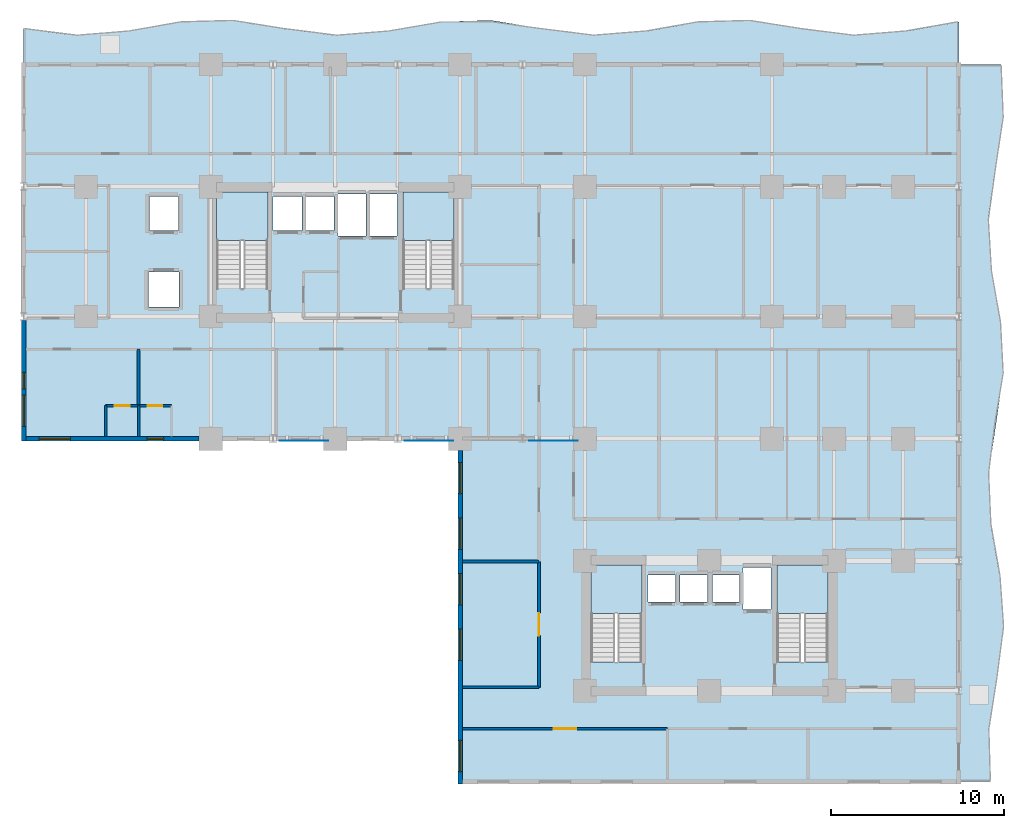
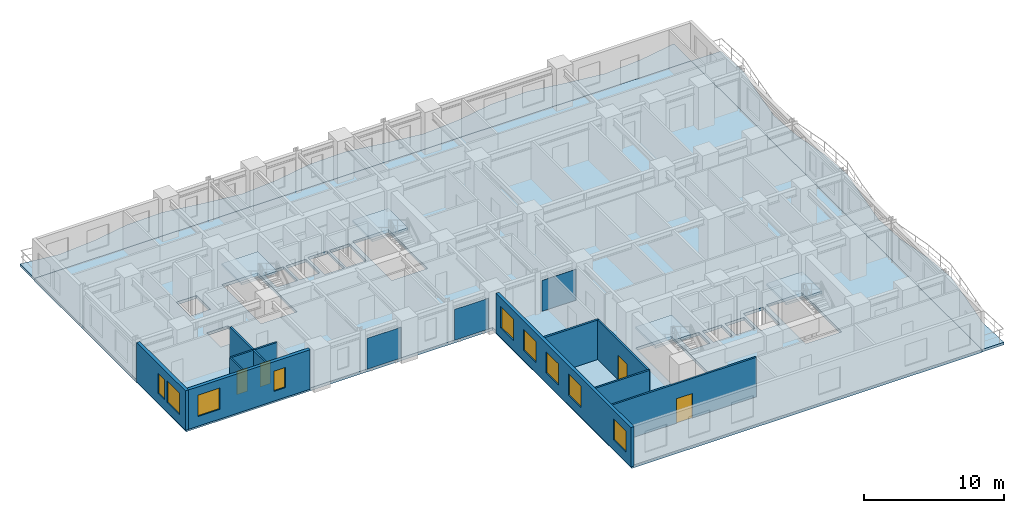
# One storey, part 2 of 11: 12 walls, 9 windows, 7 slabs, 4 doors, 3 plates, 13 openings, 4 elements without a shape of their own.
"""IFC4 building model written with IfcOpenShell, lengths in metres."""

import ifcopenshell
import ifcopenshell.guid

model = None  # the IFC model being written
_history = None  # IfcOwnerHistory: only IFC2X3 demands one
_inside = {}  # id of a spatial element -> (the spatial element, [elements in it])
_under = {}  # id of a project, library or spatial element -> (it, [spatial elements below it])
_declared = {}  # id of a project -> (the project, [libraries it declares])
_typed = {}  # id of a type object -> (the type object, [elements of that type])
_made_of = {}  # id of a material, layer set ... -> (it, [elements and type objects made of it])


def new_model(schema):
    """Start an empty IFC model of exactly this schema.

    Asked for "IFC4X3", IfcOpenShell would pick the latest addendum, in which some entities
    have other attributes; the version numbers below select the first issue.
    IFC2X3 requires an IfcOwnerHistory on every rooted entity: one is made here for all.
    """
    global model, _history
    if schema == "IFC4X3":
        model = ifcopenshell.file(schema_version=(4, 3, 0, 0))
    else:
        model = ifcopenshell.file(schema=schema)
    _inside.clear()
    _under.clear()
    _declared.clear()
    _typed.clear()
    _made_of.clear()
    _history = None
    if model.schema == "IFC2X3":
        org = make("IfcOrganization", Name="unknown")
        user = make(
            "IfcPersonAndOrganization",
            ThePerson=make("IfcPerson", FamilyName="unknown"),
            TheOrganization=org,
        )
        app = make(
            "IfcApplication",
            ApplicationDeveloper=org,
            Version="unknown",
            ApplicationFullName="unknown",
            ApplicationIdentifier="unknown",
        )
        _history = make(
            "IfcOwnerHistory",
            OwningUser=user,
            OwningApplication=app,
            ChangeAction="ADDED",
            CreationDate=0,
        )
    return model


def make(cls, **values):
    """One entity of the class cls with the attributes given. An attribute that is None is left unset."""
    return model.create_entity(
        cls, **{name: value for name, value in values.items() if value is not None}
    )


def rooted(cls, **values):
    """An entity with a GlobalId (a new one), such as an element, a storey or a relation."""
    return make(cls, GlobalId=ifcopenshell.guid.new(), OwnerHistory=_history, **values)


def si_unit(unit_type, name, prefix=None):
    """IfcSIUnit, for example si_unit("LENGTHUNIT", "METRE", prefix="MILLI")."""
    return make("IfcSIUnit", UnitType=unit_type, Prefix=prefix, Name=name)


def assignment(units):
    """IfcUnitAssignment: the units of a project."""
    return None if units is None else make("IfcUnitAssignment", Units=units)


def point(xyz):
    """IfcCartesianPoint."""
    return None if xyz is None else make("IfcCartesianPoint", Coordinates=xyz)


def direction(xyz):
    """IfcDirection."""
    return None if xyz is None else make("IfcDirection", DirectionRatios=xyz)


def frame(location, z_axis=None, x_axis=None):
    """IfcAxis2Placement3D, a coordinate frame: its origin and axes. An axis left out is left unset."""
    return make(
        "IfcAxis2Placement3D",
        Location=point(location),
        Axis=direction(z_axis),
        RefDirection=direction(x_axis),
    )


def frame_2d(location, x_axis=None):
    """IfcAxis2Placement2D, a coordinate frame in the plane: its origin and x axis."""
    return make(
        "IfcAxis2Placement2D", Location=point(location), RefDirection=direction(x_axis)
    )


def origin():
    """The frame at (0, 0, 0) with its axes left unset."""
    return frame((0.0, 0.0, 0.0))


def origin_2d():
    """The frame at (0, 0) in the plane with its x axis left unset."""
    return frame_2d((0.0, 0.0))


def place(relative_to, where):
    """IfcLocalPlacement: puts the frame where relative to a parent placement (None: the world)."""
    return make(
        "IfcLocalPlacement", PlacementRelTo=relative_to, RelativePlacement=where
    )


def context(
    kind, dimensions, precision=None, world=None, true_north=None, identifier=None
):
    """IfcGeometricRepresentationContext, for example the 3D "Model" context."""
    return make(
        "IfcGeometricRepresentationContext",
        ContextIdentifier=identifier,
        ContextType=kind,
        CoordinateSpaceDimension=dimensions,
        Precision=precision,
        WorldCoordinateSystem=world,
        TrueNorth=true_north,
    )


def subcontext(parent, identifier, kind, view, scale=None):
    """IfcGeometricRepresentationSubContext, for example "Body" below "Model"."""
    return make(
        "IfcGeometricRepresentationSubContext",
        ContextIdentifier=identifier,
        ContextType=kind,
        ParentContext=parent,
        TargetScale=scale,
        TargetView=view,
    )


def project(units=None, contexts=None):
    """IfcProject with its units and contexts."""
    return rooted(
        "IfcProject",
        Name="project",
        RepresentationContexts=contexts,
        UnitsInContext=assignment(units),
    )


def spatial(cls, under=None, at=None, **own):
    """A site, building, storey or space (cls), placed at a placement, below another one or the project."""
    s = rooted(cls, ObjectPlacement=at, **own)
    if under is not None:
        _under.setdefault(under.id(), (under, []))[1].append(s)
    return s


def polyline(points):
    """IfcPolyline through the points."""
    return make("IfcPolyline", Points=[point(p) for p in points])


def profile(cls, at=None, kind="AREA", **sizes):
    """A parametric profile (cls). Its sizes go by their IFC names, for example OverallWidth=200.0."""
    return make(cls, ProfileType=kind, Position=at, **sizes)


def rectangle(**sizes):
    """IfcRectangleProfileDef."""
    return profile("IfcRectangleProfileDef", **sizes)


def outline(outer, holes=None, kind="AREA"):
    """IfcArbitraryClosedProfileDef: a profile drawn as a closed curve; with holes, ...WithVoids."""
    if holes is None:
        return make("IfcArbitraryClosedProfileDef", ProfileType=kind, OuterCurve=outer)
    return make(
        "IfcArbitraryProfileDefWithVoids",
        ProfileType=kind,
        OuterCurve=outer,
        InnerCurves=holes,
    )


def extrude(swept, where, along, depth):
    """IfcExtrudedAreaSolid: the profile swept, set in the frame where, extruded along a direction by depth."""
    return make(
        "IfcExtrudedAreaSolid",
        SweptArea=swept,
        Position=where,
        ExtrudedDirection=direction(along),
        Depth=depth,
    )


def shape(context_of_items, identifier, shape_type, items):
    """IfcShapeRepresentation: the items that make up one representation, for example the "Body"."""
    return make(
        "IfcShapeRepresentation",
        ContextOfItems=context_of_items,
        RepresentationIdentifier=identifier,
        RepresentationType=shape_type,
        Items=items,
    )


def source(mapping_origin, context_of_items, identifier, shape_type, items):
    """IfcRepresentationMap: a shape defined once, which mapped items show again and again."""
    return make(
        "IfcRepresentationMap",
        MappingOrigin=mapping_origin,
        MappedRepresentation=shape(context_of_items, identifier, shape_type, items),
    )


def transform(
    local_origin,
    x_axis=None,
    y_axis=None,
    z_axis=None,
    scale=None,
    scale2=None,
    scale3=None,
    uniform=True,
):
    """IfcCartesianTransformationOperator3D, or its non-uniform kind. x_axis, y_axis, z_axis: its Axis1, 2, 3."""
    if uniform:
        return make(
            "IfcCartesianTransformationOperator3D",
            Axis1=direction(x_axis),
            Axis2=direction(y_axis),
            LocalOrigin=point(local_origin),
            Scale=scale,
            Axis3=direction(z_axis),
        )
    return make(
        "IfcCartesianTransformationOperator3DnonUniform",
        Axis1=direction(x_axis),
        Axis2=direction(y_axis),
        LocalOrigin=point(local_origin),
        Scale=scale,
        Axis3=direction(z_axis),
        Scale2=scale2,
        Scale3=scale3,
    )


def mapped(mapping_source, mapping_target):
    """IfcMappedItem: shows the shape of a source again, moved by a transform."""
    return make(
        "IfcMappedItem", MappingSource=mapping_source, MappingTarget=mapping_target
    )


def material(Name=None, Category=None):
    """IfcMaterial."""
    return make("IfcMaterial", Name=Name, Category=Category)


def layer(
    of_material, thickness, ventilated=None, Name=None, Category=None, Priority=None
):
    """IfcMaterialLayer: one layer of a wall or slab, of a material (None: an air gap)."""
    return make(
        "IfcMaterialLayer",
        Material=of_material,
        LayerThickness=thickness,
        IsVentilated=ventilated,
        Name=Name,
        Category=Category,
        Priority=Priority,
    )


def layer_set(layers, Name=None):
    """IfcMaterialLayerSet."""
    return make("IfcMaterialLayerSet", MaterialLayers=layers, LayerSetName=Name)


def made_of(thing, what):
    """Note that an element or type object is made of a material, layer set ...; save() writes the relation."""
    if what is not None:
        _made_of.setdefault(what.id(), (what, []))[1].append(thing)
    return thing


def type_object(cls, material=None, **own):
    """A type object (cls), such as IfcWallType, which elements share."""
    return made_of(rooted(cls, **own), material)


def element(
    cls,
    number,
    at=None,
    inside=None,
    cuts=None,
    type_object=None,
    material=None,
    context=None,
    identifier="Body",
    shape_type=None,
    held_by="IfcProductDefinitionShape",
    body=None,
    shapes=None,
    **own,
):
    """One element of the class cls, such as IfcWall. Its Tag is "e" and its number.

    at: its placement. inside: the storey or other place that contains it. cuts: it is an
    opening in that element (IfcRelVoidsElement). A single representation is given by context,
    identifier, shape_type and body (its items); several are given by shapes. held_by: the class
    of the entity that holds the representations. save() writes the other relations.
    """
    e = rooted(cls, Tag="e%d" % number, ObjectPlacement=at, **own)
    if body is not None:
        shapes = [shape(context, identifier, shape_type, body)]
    if shapes is not None:
        e.Representation = make(held_by, Representations=shapes)
    if inside is not None:
        _inside.setdefault(inside.id(), (inside, []))[1].append(e)
    if cuts is not None:
        rooted(
            "IfcRelVoidsElement", RelatingBuildingElement=cuts, RelatedOpeningElement=e
        )
    if type_object is not None:
        _typed.setdefault(type_object.id(), (type_object, []))[1].append(e)
    return made_of(e, material)


def fill(opening, filler):
    """IfcRelFillsElement: the door or window that sits in an opening."""
    return rooted(
        "IfcRelFillsElement",
        RelatingOpeningElement=opening,
        RelatedBuildingElement=filler,
    )


def aggregate(whole, parts):
    """IfcRelAggregates: a whole, such as a stair, and the parts it consists of."""
    return rooted("IfcRelAggregates", RelatingObject=whole, RelatedObjects=parts)


def save(model, path):
    """Write the relations noted so far, then the file.

    IfcRelAggregates (storeys below a building ...), IfcRelContainedInSpatialStructure (elements
    in a storey), IfcRelDefinesByType, IfcRelAssociatesMaterial and IfcRelDeclares: one each for
    every whole, place, type object, material and project.
    """
    for whole, parts in _under.values():
        aggregate(whole, parts)
    for where, things in _inside.values():
        rooted(
            "IfcRelContainedInSpatialStructure",
            RelatedElements=things,
            RelatingStructure=where,
        )
    for kind, things in _typed.values():
        rooted("IfcRelDefinesByType", RelatedObjects=things, RelatingType=kind)
    for what, things in _made_of.values():
        rooted("IfcRelAssociatesMaterial", RelatedObjects=things, RelatingMaterial=what)
    for by, libraries in _declared.values():
        rooted("IfcRelDeclares", RelatingContext=by, RelatedDefinitions=libraries)
    model.write(path)


model = new_model("IFC4")

# Units and contexts
model_context = context("Model", 3, precision=1e-05, world=origin(), true_north=direction((0.0, 1.0)))
body_context = subcontext(model_context, "Body", "Model", "MODEL_VIEW")
ifc_project = project(units=[si_unit("LENGTHUNIT", "METRE"), si_unit("AREAUNIT", "SQUARE_METRE"), si_unit("VOLUMEUNIT", "CUBIC_METRE"), si_unit("PLANEANGLEUNIT", "RADIAN"), si_unit("MASSUNIT", "GRAM", prefix="KILO")], contexts=[model_context])

# Site, building, storey
site_placement = place(None, origin())
site = spatial("IfcSite", under=ifc_project, at=site_placement, CompositionType="ELEMENT")
building_placement = place(site_placement, origin())
building = spatial("IfcBuilding", under=site, at=building_placement, Name="Kaliganga Portal Commons", CompositionType="ELEMENT")
storey_placement = place(building_placement, frame((0.0, 0.0, 36.39990234375)))
storey = spatial("IfcBuildingStorey", under=building, at=storey_placement, Name="L08", CompositionType="ELEMENT", Elevation=36.39990234375)

# Slabs
ifc_material_1 = material(Name="Concrete C40/50", Category="concrete")
ifc_layer_1 = layer(ifc_material_1, 0.2099609375)
ifc_layer_set_1 = layer_set([ifc_layer_1], Name="Concrete C40/50")
slab_type_1 = type_object("IfcSlabType", Name="SLB-BALC-210", PredefinedType="FLOOR", material=ifc_layer_set_1)
slab_1_placement = place(storey_placement, frame((0.0, 0.0, -0.2099609375)))
element("IfcSlab", 1, at=slab_1_placement, inside=storey, type_object=slab_type_1, Name="Scalloped Tree-Planter Balcony Slab L08 balc_north", PredefinedType="FLOOR", context=body_context, shape_type="SweptSolid", body=[
    extrude(outline(polyline([(57.60009765625, 43.199951171875), (57.60009765625, 45.666259765625), (54.60009765625, 45.135986328125), (51.60009765625, 44.89208984375), (48.60009765625, 45.271728515625), (45.60009765625, 45.750244140625), (42.60009765625, 45.666259765625), (39.60009765625, 45.135986328125), (36.60009765625, 44.89208984375), (33.60009765625, 45.271728515625), (30.60009765625, 45.750244140625), (27.60009765625, 45.666259765625), (24.60009765625, 45.135986328125), (21.60009765625, 44.89208984375), (18.60009765625, 45.271728515625), (15.60009765625, 45.750244140625), (12.60009765625, 45.666259765625), (9.60009765625, 45.135986328125), (6.60009765625, 44.89208984375), (3.60009765625, 45.271728515625), (3.60009765625, 43.199951171875), (57.60009765625, 43.199951171875)])), origin(), (0.0, 0.0, 1.0), 0.2099609375),
])
slab_2_placement = place(storey_placement, frame((0.0, 0.0, -0.2099609375)))
element("IfcSlab", 2, at=slab_2_placement, inside=storey, type_object=slab_type_1, Name="Scalloped Tree-Planter Balcony Slab L08 balc_east", PredefinedType="FLOOR", context=body_context, shape_type="SweptSolid", body=[
    extrude(outline(polyline([(57.60009765625, 1.800048828125), (59.42041015625, 1.800048828125), (59.33251953125, 4.757080078125), (59.798583984375, 7.71435546875), (60.18994140625, 10.67138671875), (59.979248046875, 13.628662109375), (59.450439453125, 16.585693359375), (59.31640625, 19.54296875), (59.757568359375, 22.5), (60.179443359375, 25.45703125), (60.013427734375, 28.414306640625), (59.483154296875, 31.371337890625), (59.303466796875, 34.32861328125), (59.716552734375, 37.28564453125), (60.16552734375, 40.242919921875), (60.04541015625, 43.199951171875), (57.60009765625, 43.199951171875), (57.60009765625, 1.800048828125)])), origin(), (0.0, 0.0, 1.0), 0.2099609375),
])

# Stair, slab
stair_type = type_object("IfcStairType", Name="ST-CORE-DOGLEG", PredefinedType="HALF_TURN_STAIR", material=ifc_material_1)
stair_1_placement = place(storey_placement, origin())
stair_1 = element("IfcStair", 3, at=stair_1_placement, inside=storey, type_object=stair_type, Name="L08 Protected Exit Stair ST-A1", PredefinedType="HALF_TURN_STAIR")
ifc_layer_2 = layer(ifc_material_1, 0.199951171875)
ifc_layer_set_2 = layer_set([ifc_layer_2], Name="Concrete C40/50")
slab_type_2 = type_object("IfcSlabType", Name="SLB-STAIR-LND", PredefinedType="LANDING", material=ifc_layer_set_2)
slab_3_placement = place(storey_placement, frame((0.0, 0.0, 1.650146484375)))
slab_3 = element("IfcSlab", 4, at=slab_3_placement, type_object=slab_type_2, Name="ST-A1 landing 1", PredefinedType="LANDING", context=body_context, shape_type="SweptSolid", body=[
    extrude(outline(polyline([(17.699951171875, 33.050048828125), (17.699951171875, 35.85009765625), (14.75, 35.85009765625), (14.75, 33.050048828125), (17.699951171875, 33.050048828125)])), origin(), (0.0, 0.0, 1.0), 0.199951171875),
])
aggregate(stair_1, [slab_3])

stair_2_placement = place(storey_placement, origin())
stair_2 = element("IfcStair", 5, at=stair_2_placement, inside=storey, type_object=stair_type, Name="L08 Protected Exit Stair ST-A2", PredefinedType="HALF_TURN_STAIR")
slab_4_placement = place(storey_placement, frame((0.0, 0.0, 1.650146484375)))
slab_4 = element("IfcSlab", 6, at=slab_4_placement, type_object=slab_type_2, Name="ST-A2 landing 1", PredefinedType="LANDING", context=body_context, shape_type="SweptSolid", body=[
    extrude(outline(polyline([(28.449951171875, 33.050048828125), (28.449951171875, 35.85009765625), (25.5, 35.85009765625), (25.5, 33.050048828125), (28.449951171875, 33.050048828125)])), origin(), (0.0, 0.0, 1.0), 0.199951171875),
])
aggregate(stair_2, [slab_4])

stair_3_placement = place(storey_placement, origin())
stair_3 = element("IfcStair", 7, at=stair_3_placement, inside=storey, type_object=stair_type, Name="L08 Protected Exit Stair ST-B1", PredefinedType="HALF_TURN_STAIR")
slab_5_placement = place(storey_placement, frame((0.0, 0.0, 1.650146484375)))
slab_5 = element("IfcSlab", 8, at=slab_5_placement, type_object=slab_type_2, Name="ST-B1 landing 1", PredefinedType="LANDING", context=body_context, shape_type="SweptSolid", body=[
    extrude(outline(polyline([(39.300048828125, 11.5), (39.300048828125, 14.300048828125), (36.35009765625, 14.300048828125), (36.35009765625, 11.5), (39.300048828125, 11.5)])), origin(), (0.0, 0.0, 1.0), 0.199951171875),
])
aggregate(stair_3, [slab_5])

stair_4_placement = place(storey_placement, origin())
stair_4 = element("IfcStair", 9, at=stair_4_placement, inside=storey, type_object=stair_type, Name="L08 Protected Exit Stair ST-B2", PredefinedType="HALF_TURN_STAIR")
slab_6_placement = place(storey_placement, frame((0.0, 0.0, 1.650146484375)))
slab_6 = element("IfcSlab", 10, at=slab_6_placement, type_object=slab_type_2, Name="ST-B2 landing 1", PredefinedType="LANDING", context=body_context, shape_type="SweptSolid", body=[
    extrude(outline(polyline([(50.050048828125, 11.5), (50.050048828125, 14.300048828125), (47.10009765625, 14.300048828125), (47.10009765625, 11.5), (50.050048828125, 11.5)])), origin(), (0.0, 0.0, 1.0), 0.199951171875),
])
aggregate(stair_4, [slab_6])

# Slab
ifc_layer_3 = layer(ifc_material_1, 0.25)
ifc_layer_set_3 = layer_set([ifc_layer_3], Name="Concrete C40/50")
slab_type_3 = type_object("IfcSlabType", Name="SLB-TWR-250", PredefinedType="FLOOR", material=ifc_layer_set_3)
slab_7_placement = place(storey_placement, frame((0.0, 0.0, -0.25)))
element("IfcSlab", 11, at=slab_7_placement, inside=storey, type_object=slab_type_3, Name="Structural Floor Slab L08", PredefinedType="FLOOR", context=body_context, shape_type="SweptSolid", body=[
    extrude(outline(polyline([(28.800048828125, 1.800048828125), (57.60009765625, 1.800048828125), (57.60009765625, 43.199951171875), (3.60009765625, 43.199951171875), (3.60009765625, 21.60009765625), (28.800048828125, 21.60009765625), (28.800048828125, 1.800048828125)]), holes=[polyline([(14.75, 30.25390625), (14.75, 35.85009765625), (17.699951171875, 35.85009765625), (17.699951171875, 30.25390625), (14.75, 30.25390625)]), polyline([(25.5, 30.25390625), (25.5, 35.85009765625), (28.449951171875, 35.85009765625), (28.449951171875, 30.25390625), (25.5, 30.25390625)]), polyline([(36.35009765625, 8.7041015625), (36.35009765625, 14.300048828125), (39.300048828125, 14.300048828125), (39.300048828125, 8.7041015625), (36.35009765625, 8.7041015625)]), polyline([(47.10009765625, 8.7041015625), (47.10009765625, 14.300048828125), (50.050048828125, 14.300048828125), (50.050048828125, 8.7041015625), (47.10009765625, 8.7041015625)]), polyline([(18.014892578125, 33.614990234375), (18.014892578125, 35.5849609375), (19.68505859375, 35.5849609375), (19.68505859375, 33.614990234375), (18.014892578125, 33.614990234375)]), polyline([(19.864990234375, 33.614990234375), (19.864990234375, 35.5849609375), (21.534912109375, 35.5849609375), (21.534912109375, 33.614990234375), (19.864990234375, 33.614990234375)]), polyline([(10.81494140625, 29.18994140625), (10.81494140625, 31.2099609375), (12.5849609375, 31.2099609375), (12.5849609375, 29.18994140625), (10.81494140625, 29.18994140625)]), polyline([(10.864990234375, 33.614990234375), (10.864990234375, 35.5849609375), (12.534912109375, 35.5849609375), (12.534912109375, 33.614990234375), (10.864990234375, 33.614990234375)]), polyline([(21.739990234375, 33.2900390625), (21.739990234375, 35.7099609375), (23.360107421875, 35.7099609375), (23.360107421875, 33.2900390625), (21.739990234375, 33.2900390625)]), polyline([(23.5400390625, 33.2900390625), (23.5400390625, 35.7099609375), (25.159912109375, 35.7099609375), (25.159912109375, 33.2900390625), (23.5400390625, 33.2900390625)]), polyline([(39.6650390625, 12.1650390625), (39.6650390625, 13.735107421875), (41.235107421875, 13.735107421875), (41.235107421875, 12.1650390625), (39.6650390625, 12.1650390625)]), polyline([(41.514892578125, 12.1650390625), (41.514892578125, 13.735107421875), (43.0849609375, 13.735107421875), (43.0849609375, 12.1650390625), (41.514892578125, 12.1650390625)]), polyline([(43.364990234375, 12.1650390625), (43.364990234375, 13.735107421875), (44.93505859375, 13.735107421875), (44.93505859375, 12.1650390625), (43.364990234375, 12.1650390625)]), polyline([(45.139892578125, 11.739990234375), (45.139892578125, 14.159912109375), (46.760009765625, 14.159912109375), (46.760009765625, 11.739990234375), (45.139892578125, 11.739990234375)])]), origin(), (0.0, 0.0, 1.0), 0.25),
])

# Plates
ifc_material_2 = material(Name="Perforated Bronze-Anodized Aluminium Solar Screen", Category="aluminium")
ifc_layer_4 = layer(ifc_material_2, 0.01806640625)
ifc_layer_set_4 = layer_set([ifc_layer_4], Name="Perforated Bronze-Anodized Aluminium Solar Screen")
plate_type = type_object("IfcPlateType", Name="PLT-SCR-18", PredefinedType="USERDEFINED", material=ifc_layer_set_4)
shared_shape = source(origin(), body_context, "Body", "SweptSolid", [
    extrude(rectangle(XDim=2.800048828125, YDim=0.01806640625, at=origin_2d()), origin(), (0.0, 0.0, 1.0), 2.68994140625),
])
for number, where, z_axis, x_axis, name in (
    (12, (19.800048828125, 21.47998046875, 0.080078125), (0.0, 0.0, 1.0), (1.0, 0.0, 0.0), "Perforated Solar Screen L08-S1"),
    (13, (27.0, 21.47998046875, 0.080078125), (0.0, 0.0, 1.0), (1.0, 0.0, 0.0), "Perforated Solar Screen L08-S2"),
    (14, (34.199951171875, 21.47998046875, 0.080078125), (0.0, 0.0, 1.0), (1.0, 0.0, 0.0), "Perforated Solar Screen L08-S3"),
):
    element("IfcPlate", number, at=place(storey_placement, frame(where, z_axis=z_axis, x_axis=x_axis)), inside=storey, type_object=plate_type, Name=name, ObjectType="SOLAR SCREEN", PredefinedType="USERDEFINED", context=body_context, shape_type="MappedRepresentation", body=[
        mapped(shared_shape, transform((0.0, 0.0, 0.0), x_axis=(1.0, 0.0, 0.0), y_axis=(0.0, 1.0, 0.0), z_axis=(0.0, 0.0, 1.0), scale=1.0)),
    ])

# Wall, openings, windows
ifc_material_3 = material(Name="Insulated Aluminium-Clad Spandrel Assembly", Category="aluminium")
ifc_layer_5 = layer(ifc_material_3, 0.260009765625)
ifc_layer_set_5 = layer_set([ifc_layer_5], Name="Insulated Aluminium-Clad Spandrel Assembly")
wall_type_1 = type_object("IfcWallType", Name="WL-EXT-SPAND-260", PredefinedType="STANDARD", material=ifc_layer_set_5)
wall_1_placement = place(storey_placement, frame((3.60009765625, 21.469970703125, 0.0), z_axis=(0.0, 0.0, 1.0), x_axis=(0.0, 1.0, 0.0)))
wall_1 = element("IfcWall", 15, at=wall_1_placement, inside=storey, type_object=wall_type_1, Name="Exterior Envelope Wall L08 P1-E03-S3", PredefinedType="STANDARD", context=body_context, shape_type="SweptSolid", body=[
    extrude(rectangle(XDim=6.9560546875, YDim=0.260009765625, at=frame_2d((3.47802734375, 0.0))), origin(), (0.0, 0.0, 1.0), 3.43017578125),
])
opening_1_placement = place(wall_1_placement, frame((0.839111328125, 0.0, 0.85009765625)))
opening_1 = element("IfcOpeningElement", 16, at=opening_1_placement, cuts=wall_1, Name="Opening W-01", PredefinedType="OPENING", context=body_context, shape_type="SweptSolid", body=[
    extrude(rectangle(XDim=1.800048828125, YDim=1.85009765625, at=frame_2d((0.89990234375, 0.925048828125))), frame((0.0, 0.14013671875, 0.0), z_axis=(0.0, -1.0, 0.0), x_axis=(1.0, 0.0, 0.0)), (0.0, 0.0, 1.0), 0.280029296875),
])
opening_2_placement = place(wall_1_placement, frame((3.0029296875, 0.0, 0.85009765625)))
opening_2 = element("IfcOpeningElement", 17, at=opening_2_placement, cuts=wall_1, Name="Opening W-04", PredefinedType="OPENING", context=body_context, shape_type="SweptSolid", body=[
    extrude(rectangle(XDim=0.949951171875, YDim=1.75, at=frame_2d((0.47509765625, 0.875))), frame((0.0, 0.14013671875, 0.0), z_axis=(0.0, -1.0, 0.0), x_axis=(1.0, 0.0, 0.0)), (0.0, 0.0, 1.0), 0.280029296875),
])
ifc_material_4 = material(Name="Thermally Broken Aluminium and Low-E Double Glazing", Category="aluminium")
window_type_1 = type_object("IfcWindowType", Name="WIN-NARROW-950", PartitioningType="SINGLE_PANEL", PredefinedType="WINDOW", material=ifc_material_4)
window_1_placement = place(opening_2_placement, origin())
window_1 = element("IfcWindow", 18, at=window_1_placement, inside=storey, type_object=window_type_1, Name="Facade Window L08-P1E03S3-N0", OverallHeight=1.75, OverallWidth=0.949951171875, PartitioningType="SINGLE_PANEL", PredefinedType="WINDOW", context=body_context, shape_type="SweptSolid", body=[
    extrude(rectangle(XDim=0.949951171875, YDim=1.75, at=frame_2d((0.47509765625, 0.875))), frame((0.0, 0.030029296875, 0.0), z_axis=(0.0, -1.0, 0.0), x_axis=(1.0, 0.0, 0.0)), (0.0, 0.0, 1.0), 0.06005859375),
])
fill(opening_2, window_1)
window_type_2 = type_object("IfcWindowType", Name="WIN-STD-1800", PartitioningType="DOUBLE_PANEL_VERTICAL", PredefinedType="WINDOW", material=ifc_material_4)
window_2_placement = place(opening_1_placement, origin())
window_2 = element("IfcWindow", 19, at=window_2_placement, inside=storey, type_object=window_type_2, Name="Facade Window L08-P1E03S3-00", OverallHeight=1.85009765625, OverallWidth=1.800048828125, PartitioningType="SINGLE_PANEL", PredefinedType="WINDOW", context=body_context, shape_type="SweptSolid", body=[
    extrude(rectangle(XDim=1.800048828125, YDim=1.85009765625, at=frame_2d((0.89990234375, 0.925048828125))), frame((0.0, 0.030029296875, 0.0), z_axis=(0.0, -1.0, 0.0), x_axis=(1.0, 0.0, 0.0)), (0.0, 0.0, 1.0), 0.06005859375),
])
fill(opening_1, window_2)

wall_2_placement = place(storey_placement, frame((13.72412109375, 21.60009765625, 0.0), z_axis=(0.0, 0.0, 1.0), x_axis=(-1.0, 0.0, 0.0)))
wall_2 = element("IfcWall", 20, at=wall_2_placement, inside=storey, type_object=wall_type_1, Name="Exterior Envelope Wall L08 P1-E04-S1", PredefinedType="STANDARD", context=body_context, shape_type="SweptSolid", body=[
    extrude(rectangle(XDim=9.989013671875, YDim=0.260009765625, at=frame_2d((4.99462890625, 0.0))), origin(), (0.0, 0.0, 1.0), 3.43017578125),
])
opening_3_placement = place(wall_2_placement, frame((7.42431640625, 0.0, 0.85009765625)))
opening_3 = element("IfcOpeningElement", 21, at=opening_3_placement, cuts=wall_2, Name="Opening W-01", PredefinedType="OPENING", context=body_context, shape_type="SweptSolid", body=[
    extrude(rectangle(XDim=1.800048828125, YDim=1.85009765625, at=frame_2d((0.89990234375, 0.925048828125))), frame((0.0, 0.14013671875, 0.0), z_axis=(0.0, -1.0, 0.0), x_axis=(1.0, 0.0, 0.0)), (0.0, 0.0, 1.0), 0.280029296875),
])
opening_4_placement = place(wall_2_placement, frame((2.042236328125, 0.0, 0.85009765625)))
opening_4 = element("IfcOpeningElement", 22, at=opening_4_placement, cuts=wall_2, Name="Opening W-04", PredefinedType="OPENING", context=body_context, shape_type="SweptSolid", body=[
    extrude(rectangle(XDim=0.949951171875, YDim=1.75, at=frame_2d((0.47509765625, 0.875))), frame((0.0, 0.14013671875, 0.0), z_axis=(0.0, -1.0, 0.0), x_axis=(1.0, 0.0, 0.0)), (0.0, 0.0, 1.0), 0.280029296875),
])
window_3_placement = place(opening_4_placement, origin())
window_3 = element("IfcWindow", 23, at=window_3_placement, inside=storey, type_object=window_type_1, Name="Facade Window L08-P1E04S1-N1", OverallHeight=1.75, OverallWidth=0.949951171875, PartitioningType="SINGLE_PANEL", PredefinedType="WINDOW", context=body_context, shape_type="SweptSolid", body=[
    extrude(rectangle(XDim=0.949951171875, YDim=1.75, at=frame_2d((0.47509765625, 0.875))), frame((0.0, 0.030029296875, 0.0), z_axis=(0.0, -1.0, 0.0), x_axis=(1.0, 0.0, 0.0)), (0.0, 0.0, 1.0), 0.06005859375),
])
fill(opening_4, window_3)
window_4_placement = place(opening_3_placement, origin())
window_4 = element("IfcWindow", 24, at=window_4_placement, inside=storey, type_object=window_type_2, Name="Facade Window L08-P1E04S1-02", OverallHeight=1.85009765625, OverallWidth=1.800048828125, PartitioningType="SINGLE_PANEL", PredefinedType="WINDOW", context=body_context, shape_type="SweptSolid", body=[
    extrude(rectangle(XDim=1.800048828125, YDim=1.85009765625, at=frame_2d((0.89990234375, 0.925048828125))), frame((0.0, 0.030029296875, 0.0), z_axis=(0.0, -1.0, 0.0), x_axis=(1.0, 0.0, 0.0)), (0.0, 0.0, 1.0), 0.06005859375),
])
fill(opening_3, window_4)

wall_3_placement = place(storey_placement, frame((28.800048828125, 1.669921875, 0.0), z_axis=(0.0, 0.0, 1.0), x_axis=(0.0, 1.0, 0.0)))
wall_3 = element("IfcWall", 25, at=wall_3_placement, inside=storey, type_object=wall_type_1, Name="Exterior Envelope Wall L08 P1-E05-S1", PredefinedType="STANDARD", context=body_context, shape_type="SweptSolid", body=[
    extrude(rectangle(XDim=19.254150390625, YDim=0.260009765625, at=frame_2d((9.626953125, 0.0))), origin(), (0.0, 0.0, 1.0), 3.43017578125),
])
opening_5_placement = place(wall_3_placement, frame((0.70458984375, 0.0, 0.85009765625)))
opening_5 = element("IfcOpeningElement", 26, at=opening_5_placement, cuts=wall_3, Name="Opening W-01", PredefinedType="OPENING", context=body_context, shape_type="SweptSolid", body=[
    extrude(rectangle(XDim=1.800048828125, YDim=1.85009765625, at=frame_2d((0.89990234375, 0.925048828125))), frame((0.0, 0.14013671875, 0.0), z_axis=(0.0, -1.0, 0.0), x_axis=(1.0, 0.0, 0.0)), (0.0, 0.0, 1.0), 0.280029296875),
])
opening_6_placement = place(wall_3_placement, frame((7.12255859375, 0.0, 0.85009765625)))
opening_6 = element("IfcOpeningElement", 27, at=opening_6_placement, cuts=wall_3, Name="Opening W-01", PredefinedType="OPENING", context=body_context, shape_type="SweptSolid", body=[
    extrude(rectangle(XDim=1.800048828125, YDim=1.85009765625, at=frame_2d((0.89990234375, 0.925048828125))), frame((0.0, 0.14013671875, 0.0), z_axis=(0.0, -1.0, 0.0), x_axis=(1.0, 0.0, 0.0)), (0.0, 0.0, 1.0), 0.280029296875),
])
opening_7_placement = place(wall_3_placement, frame((10.33154296875, 0.0, 0.85009765625)))
opening_7 = element("IfcOpeningElement", 28, at=opening_7_placement, cuts=wall_3, Name="Opening W-01", PredefinedType="OPENING", context=body_context, shape_type="SweptSolid", body=[
    extrude(rectangle(XDim=1.800048828125, YDim=1.85009765625, at=frame_2d((0.89990234375, 0.925048828125))), frame((0.0, 0.14013671875, 0.0), z_axis=(0.0, -1.0, 0.0), x_axis=(1.0, 0.0, 0.0)), (0.0, 0.0, 1.0), 0.280029296875),
])
opening_8_placement = place(wall_3_placement, frame((13.54052734375, 0.0, 0.85009765625)))
opening_8 = element("IfcOpeningElement", 29, at=opening_8_placement, cuts=wall_3, Name="Opening W-01", PredefinedType="OPENING", context=body_context, shape_type="SweptSolid", body=[
    extrude(rectangle(XDim=1.800048828125, YDim=1.85009765625, at=frame_2d((0.89990234375, 0.925048828125))), frame((0.0, 0.14013671875, 0.0), z_axis=(0.0, -1.0, 0.0), x_axis=(1.0, 0.0, 0.0)), (0.0, 0.0, 1.0), 0.280029296875),
])
opening_9_placement = place(wall_3_placement, frame((16.74951171875, 0.0, 0.85009765625)))
opening_9 = element("IfcOpeningElement", 30, at=opening_9_placement, cuts=wall_3, Name="Opening W-01", PredefinedType="OPENING", context=body_context, shape_type="SweptSolid", body=[
    extrude(rectangle(XDim=1.800048828125, YDim=1.85009765625, at=frame_2d((0.89990234375, 0.925048828125))), frame((0.0, 0.14013671875, 0.0), z_axis=(0.0, -1.0, 0.0), x_axis=(1.0, 0.0, 0.0)), (0.0, 0.0, 1.0), 0.280029296875),
])
window_5_placement = place(opening_5_placement, origin())
window_5 = element("IfcWindow", 31, at=window_5_placement, inside=storey, type_object=window_type_2, Name="Facade Window L08-P1E05S1-00", OverallHeight=1.85009765625, OverallWidth=1.800048828125, PartitioningType="SINGLE_PANEL", PredefinedType="WINDOW", context=body_context, shape_type="SweptSolid", body=[
    extrude(rectangle(XDim=1.800048828125, YDim=1.85009765625, at=frame_2d((0.89990234375, 0.925048828125))), frame((0.0, 0.030029296875, 0.0), z_axis=(0.0, -1.0, 0.0), x_axis=(1.0, 0.0, 0.0)), (0.0, 0.0, 1.0), 0.06005859375),
])
fill(opening_5, window_5)
window_6_placement = place(opening_6_placement, origin())
window_6 = element("IfcWindow", 32, at=window_6_placement, inside=storey, type_object=window_type_2, Name="Facade Window L08-P1E05S1-02", OverallHeight=1.85009765625, OverallWidth=1.800048828125, PartitioningType="SINGLE_PANEL", PredefinedType="WINDOW", context=body_context, shape_type="SweptSolid", body=[
    extrude(rectangle(XDim=1.800048828125, YDim=1.85009765625, at=frame_2d((0.89990234375, 0.925048828125))), frame((0.0, 0.030029296875, 0.0), z_axis=(0.0, -1.0, 0.0), x_axis=(1.0, 0.0, 0.0)), (0.0, 0.0, 1.0), 0.06005859375),
])
fill(opening_6, window_6)
window_7_placement = place(opening_7_placement, origin())
window_7 = element("IfcWindow", 33, at=window_7_placement, inside=storey, type_object=window_type_2, Name="Facade Window L08-P1E05S1-03", OverallHeight=1.85009765625, OverallWidth=1.800048828125, PartitioningType="SINGLE_PANEL", PredefinedType="WINDOW", context=body_context, shape_type="SweptSolid", body=[
    extrude(rectangle(XDim=1.800048828125, YDim=1.85009765625, at=frame_2d((0.89990234375, 0.925048828125))), frame((0.0, 0.030029296875, 0.0), z_axis=(0.0, -1.0, 0.0), x_axis=(1.0, 0.0, 0.0)), (0.0, 0.0, 1.0), 0.06005859375),
])
fill(opening_7, window_7)
window_8_placement = place(opening_8_placement, origin())
window_8 = element("IfcWindow", 34, at=window_8_placement, inside=storey, type_object=window_type_2, Name="Facade Window L08-P1E05S1-04", OverallHeight=1.85009765625, OverallWidth=1.800048828125, PartitioningType="SINGLE_PANEL", PredefinedType="WINDOW", context=body_context, shape_type="SweptSolid", body=[
    extrude(rectangle(XDim=1.800048828125, YDim=1.85009765625, at=frame_2d((0.89990234375, 0.925048828125))), frame((0.0, 0.030029296875, 0.0), z_axis=(0.0, -1.0, 0.0), x_axis=(1.0, 0.0, 0.0)), (0.0, 0.0, 1.0), 0.06005859375),
])
fill(opening_8, window_8)
window_9_placement = place(opening_9_placement, origin())
window_9 = element("IfcWindow", 35, at=window_9_placement, inside=storey, type_object=window_type_2, Name="Facade Window L08-P1E05S1-05", OverallHeight=1.85009765625, OverallWidth=1.800048828125, PartitioningType="SINGLE_PANEL", PredefinedType="WINDOW", context=body_context, shape_type="SweptSolid", body=[
    extrude(rectangle(XDim=1.800048828125, YDim=1.85009765625, at=frame_2d((0.89990234375, 0.925048828125))), frame((0.0, 0.030029296875, 0.0), z_axis=(0.0, -1.0, 0.0), x_axis=(1.0, 0.0, 0.0)), (0.0, 0.0, 1.0), 0.06005859375),
])
fill(opening_9, window_9)

# Wall, opening, door
ifc_material_5 = material(Name="Fire-Rated Gypsum Board on Steel Stud", Category="steel")
ifc_layer_6 = layer(ifc_material_5, 0.14990234375)
ifc_layer_set_6 = layer_set([ifc_layer_6], Name="Fire-Rated Gypsum Board on Steel Stud")
wall_type_2 = type_object("IfcWallType", Name="WL-PART-CORR-150", PredefinedType="PARTITIONING", material=ifc_layer_set_6)
wall_4_placement = place(storey_placement, frame((28.931884765625, 4.840087890625, 0.0), z_axis=(0.0, 0.0, 1.0), x_axis=(1.0, 0.0, 0.0)))
wall_4 = element("IfcWall", 36, at=wall_4_placement, inside=storey, type_object=wall_type_2, Name="Interior Partition L08-007", PredefinedType="PARTITIONING", context=body_context, shape_type="SweptSolid", body=[
    extrude(rectangle(XDim=11.84814453125, YDim=0.14990234375, at=frame_2d((5.924072265625, 0.0))), origin(), (0.0, 0.0, 1.0), 3.43017578125),
])
opening_10_placement = place(wall_4_placement, frame((5.27392578125, 0.0, 0.0)))
opening_10 = element("IfcOpeningElement", 37, at=opening_10_placement, cuts=wall_4, Name="Opening RD-03", PredefinedType="OPENING", context=body_context, shape_type="SweptSolid", body=[
    extrude(rectangle(XDim=1.300048828125, YDim=2.1201171875, at=frame_2d((0.64990234375, 1.06005859375))), frame((0.0, 0.0849609375, 0.0), z_axis=(0.0, -1.0, 0.0), x_axis=(1.0, 0.0, 0.0)), (0.0, 0.0, 1.0), 0.169921875),
])
ifc_material_6 = material(Name="Glazed Timber Seminar Vision Door", Category="wood")
door_type_1 = type_object("IfcDoorType", Name="DR-STUDY-1300", OperationType="DOUBLE_DOOR_SINGLE_SWING", PredefinedType="DOOR", material=ifc_material_6)
door_1_placement = place(opening_10_placement, origin())
door_1 = element("IfcDoor", 38, at=door_1_placement, inside=storey, type_object=door_type_1, Name="Interior Door L08-BS01", OperationType="DOUBLE_DOOR_SINGLE_SWING", OverallHeight=2.1201171875, OverallWidth=1.300048828125, PredefinedType="DOOR", context=body_context, shape_type="SweptSolid", body=[
    extrude(rectangle(XDim=1.300048828125, YDim=2.1201171875, at=frame_2d((0.64990234375, 1.06005859375))), frame((0.0, 0.02490234375, 0.0), z_axis=(0.0, -1.0, 0.0), x_axis=(1.0, 0.0, 0.0)), (0.0, 0.0, 1.0), 0.050048828125),
])
fill(opening_10, door_1)

wall_5_placement = place(storey_placement, frame((33.360107421875, 7.239990234375, 0.0), z_axis=(0.0, 0.0, 1.0), x_axis=(0.0, 1.0, 0.0)))
wall_5 = element("IfcWall", 39, at=wall_5_placement, inside=storey, type_object=wall_type_2, Name="Interior Partition L08-020", PredefinedType="PARTITIONING", context=body_context, shape_type="SweptSolid", body=[
    extrude(rectangle(XDim=7.260009765625, YDim=0.14990234375, at=frame_2d((3.6298828125, 0.0))), origin(), (0.0, 0.0, 1.0), 3.43017578125),
])
opening_11_placement = place(wall_5_placement, frame((2.97998046875, 0.0, 0.0)))
opening_11 = element("IfcOpeningElement", 40, at=opening_11_placement, cuts=wall_5, Name="Opening RD-03", PredefinedType="OPENING", context=body_context, shape_type="SweptSolid", body=[
    extrude(rectangle(XDim=1.300048828125, YDim=2.1201171875, at=frame_2d((0.64990234375, 1.06005859375))), frame((0.0, 0.0849609375, 0.0), z_axis=(0.0, -1.0, 0.0), x_axis=(1.0, 0.0, 0.0)), (0.0, 0.0, 1.0), 0.169921875),
])
door_2_placement = place(opening_11_placement, origin())
door_2 = element("IfcDoor", 41, at=door_2_placement, inside=storey, type_object=door_type_1, Name="Interior Door L08-KW01", OperationType="DOUBLE_DOOR_SINGLE_SWING", OverallHeight=2.1201171875, OverallWidth=1.300048828125, PredefinedType="DOOR", context=body_context, shape_type="SweptSolid", body=[
    extrude(rectangle(XDim=1.300048828125, YDim=2.1201171875, at=frame_2d((0.64990234375, 1.06005859375))), frame((0.0, 0.02490234375, 0.0), z_axis=(0.0, -1.0, 0.0), x_axis=(1.0, 0.0, 0.0)), (0.0, 0.0, 1.0), 0.050048828125),
])
fill(opening_11, door_2)

# Walls
wall_6_placement = place(storey_placement, frame((28.931884765625, 7.239990234375, 0.0), z_axis=(0.0, 0.0, 1.0), x_axis=(1.0, 0.0, 0.0)))
element("IfcWall", 42, at=wall_6_placement, inside=storey, type_object=wall_type_2, Name="Interior Partition L08-039", PredefinedType="PARTITIONING", context=body_context, shape_type="SweptSolid", body=[
    extrude(rectangle(XDim=4.42822265625, YDim=0.14990234375, at=frame_2d((2.214111328125, 0.0))), origin(), (0.0, 0.0, 1.0), 3.43017578125),
])
ifc_material_7 = material(Name="Twin-Stud Acoustic Gypsum Partition", Category="gypsum")
ifc_layer_7 = layer(ifc_material_7, 0.1650390625)
ifc_layer_set_7 = layer_set([ifc_layer_7], Name="Twin-Stud Acoustic Gypsum Partition")
wall_type_3 = type_object("IfcWallType", Name="WL-PART-UNIT-165", PredefinedType="PARTITIONING", material=ifc_layer_set_7)
wall_7_placement = place(storey_placement, frame((28.931884765625, 14.5, 0.0), z_axis=(0.0, 0.0, 1.0), x_axis=(1.0, 0.0, 0.0)))
element("IfcWall", 43, at=wall_7_placement, inside=storey, type_object=wall_type_3, Name="Interior Partition L08-082", PredefinedType="PARTITIONING", context=body_context, shape_type="SweptSolid", body=[
    extrude(rectangle(XDim=4.42822265625, YDim=0.1650390625, at=frame_2d((2.214111328125, 0.0))), origin(), (0.0, 0.0, 1.0), 3.43017578125),
])
wall_8_placement = place(storey_placement, frame((10.239990234375, 23.5, 0.0), z_axis=(0.0, 0.0, 1.0), x_axis=(0.0, 1.0, 0.0)))
element("IfcWall", 44, at=wall_8_placement, inside=storey, type_object=wall_type_3, Name="Interior Partition L08-089", PredefinedType="PARTITIONING", context=body_context, shape_type="SweptSolid", body=[
    extrude(rectangle(XDim=3.260009765625, YDim=0.1650390625, at=frame_2d((1.6298828125, 0.0))), origin(), (0.0, 0.0, 1.0), 3.43017578125),
])

# Wall, opening, door
ifc_material_8 = material(Name="Cement-Board Wet-Room Partition", Category="gypsum")
ifc_layer_8 = layer(ifc_material_8, 0.135009765625)
ifc_layer_set_8 = layer_set([ifc_layer_8], Name="Cement-Board Wet-Room Partition")
wall_type_4 = type_object("IfcWallType", Name="WL-PART-WET-135", PredefinedType="PARTITIONING", material=ifc_layer_set_8)
wall_9_placement = place(storey_placement, frame((8.340087890625, 23.5, 0.0), z_axis=(0.0, 0.0, 1.0), x_axis=(1.0, 0.0, 0.0)))
wall_9 = element("IfcWall", 45, at=wall_9_placement, inside=storey, type_object=wall_type_4, Name="Interior Partition L08-001", PredefinedType="PARTITIONING", context=body_context, shape_type="SweptSolid", body=[
    extrude(rectangle(XDim=1.89990234375, YDim=0.135009765625, at=frame_2d((0.949951171875, 0.0))), origin(), (0.0, 0.0, 1.0), 3.43017578125),
])
opening_12_placement = place(wall_9_placement, frame((0.52490234375, 0.0, 0.0)))
opening_12 = element("IfcOpeningElement", 46, at=opening_12_placement, cuts=wall_9, Name="Opening WD-01", PredefinedType="OPENING", context=body_context, shape_type="SweptSolid", body=[
    extrude(rectangle(XDim=0.85009765625, YDim=2.0400390625, at=frame_2d((0.425048828125, 1.02001953125))), frame((0.0, 0.07763671875, 0.0), z_axis=(0.0, -1.0, 0.0), x_axis=(1.0, 0.0, 0.0)), (0.0, 0.0, 1.0), 0.155029296875),
])
ifc_material_9 = material(Name="Moisture-Resistant Laminate Timber Door", Category="wood")
door_type_2 = type_object("IfcDoorType", Name="DR-WET-850", OperationType="NOTDEFINED", PredefinedType="DOOR", material=ifc_material_9)
door_3_placement = place(opening_12_placement, origin())
door_3 = element("IfcDoor", 47, at=door_3_placement, inside=storey, type_object=door_type_2, Name="Interior Door L08-AS01E", OperationType="SINGLE_SWING_RIGHT", OverallHeight=2.0400390625, OverallWidth=0.85009765625, PredefinedType="DOOR", context=body_context, shape_type="SweptSolid", body=[
    extrude(rectangle(XDim=0.85009765625, YDim=2.0400390625, at=frame_2d((0.425048828125, 1.02001953125))), frame((0.0, 0.02490234375, 0.0), z_axis=(0.0, -1.0, 0.0), x_axis=(1.0, 0.0, 0.0)), (0.0, 0.0, 1.0), 0.050048828125),
])
fill(opening_12, door_3)

wall_10_placement = place(storey_placement, frame((10.239990234375, 23.5, 0.0), z_axis=(0.0, 0.0, 1.0), x_axis=(1.0, 0.0, 0.0)))
wall_10 = element("IfcWall", 48, at=wall_10_placement, inside=storey, type_object=wall_type_4, Name="Interior Partition L08-002", PredefinedType="PARTITIONING", context=body_context, shape_type="SweptSolid", body=[
    extrude(rectangle(XDim=1.89990234375, YDim=0.135009765625, at=frame_2d((0.949951171875, 0.0))), origin(), (0.0, 0.0, 1.0), 3.43017578125),
])
opening_13_placement = place(wall_10_placement, frame((0.52490234375, 0.0, 0.0)))
opening_13 = element("IfcOpeningElement", 49, at=opening_13_placement, cuts=wall_10, Name="Opening WD-01", PredefinedType="OPENING", context=body_context, shape_type="SweptSolid", body=[
    extrude(rectangle(XDim=0.85009765625, YDim=2.0400390625, at=frame_2d((0.425048828125, 1.02001953125))), frame((0.0, 0.07763671875, 0.0), z_axis=(0.0, -1.0, 0.0), x_axis=(1.0, 0.0, 0.0)), (0.0, 0.0, 1.0), 0.155029296875),
])
door_4_placement = place(opening_13_placement, origin())
door_4 = element("IfcDoor", 50, at=door_4_placement, inside=storey, type_object=door_type_2, Name="Interior Door L08-AS02E", OperationType="SINGLE_SWING_LEFT", OverallHeight=2.0400390625, OverallWidth=0.85009765625, PredefinedType="DOOR", context=body_context, shape_type="SweptSolid", body=[
    extrude(rectangle(XDim=0.85009765625, YDim=2.0400390625, at=frame_2d((0.425048828125, 1.02001953125))), frame((0.0, 0.02490234375, 0.0), z_axis=(0.0, -1.0, 0.0), x_axis=(1.0, 0.0, 0.0)), (0.0, 0.0, 1.0), 0.050048828125),
])
fill(opening_13, door_4)

# Walls
for number, where, z_axis, x_axis, name in (
    (51, (8.340087890625, 21.73193359375, 0.0), (0.0, 0.0, 1.0), (0.0, 1.0, 0.0), "Interior Partition L08-003"),
    (52, (10.239990234375, 21.73193359375, 0.0), (0.0, 0.0, 1.0), (0.0, 1.0, 0.0), "Interior Partition L08-004"),
):
    element("IfcWall", number, at=place(storey_placement, frame(where, z_axis=z_axis, x_axis=x_axis)), inside=storey, type_object=wall_type_4, Name=name, PredefinedType="PARTITIONING", context=body_context, shape_type="SweptSolid", body=[
        extrude(rectangle(XDim=1.76806640625, YDim=0.135009765625, at=frame_2d((0.884033203125, 0.0))), origin(), (0.0, 0.0, 1.0), 3.43017578125),
    ])

save(model, "model.ifc")
